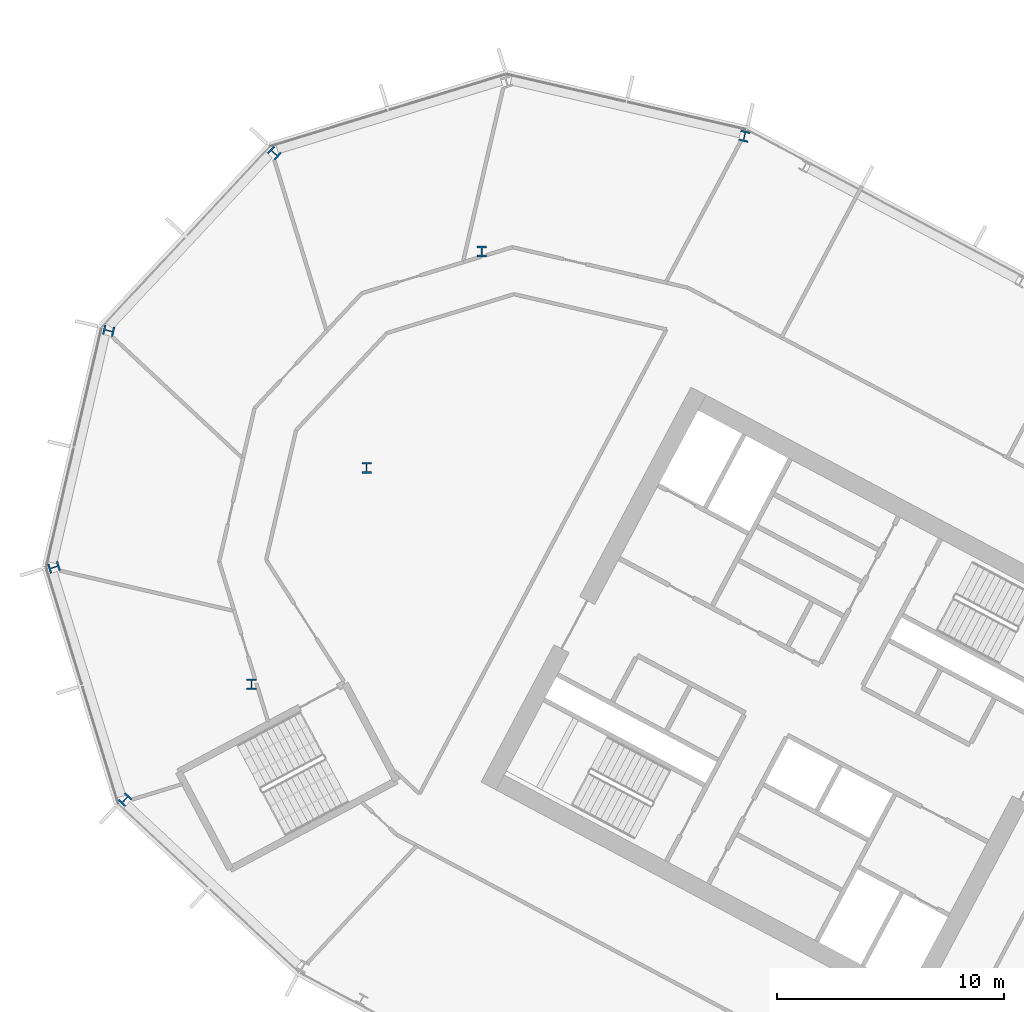
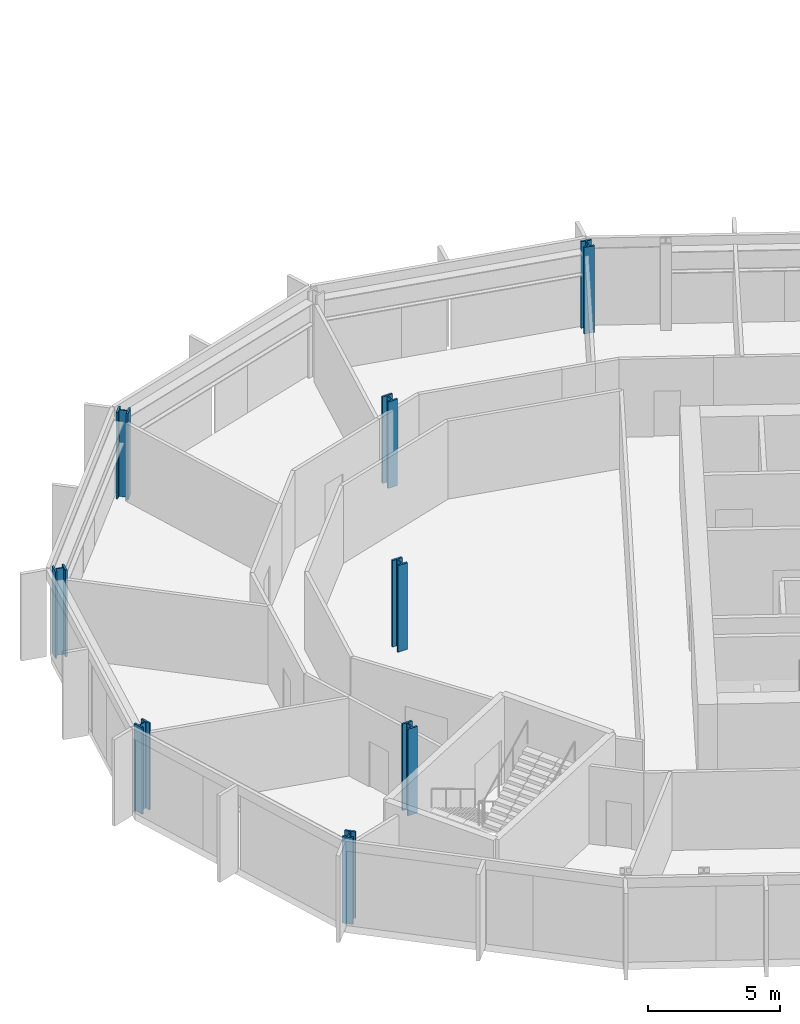
# One storey, part 3 of 28: 8 columns.
"""IFC4 building model written with IfcOpenShell, lengths in metres."""

from ifc_helpers import new_model, si_unit, direction, frame, origin, origin_2d, place, context, subcontext, project, spatial, i_section, extrude, material, material_profile, profile_set, type_object, element, save


model = new_model("IFC4")

# Units and contexts
model_context = context("Model", 3, precision=1e-05, world=origin(), true_north=direction((0.0, 1.0)))
body_context = subcontext(model_context, "Body", "Model", "MODEL_VIEW")
ifc_project = project(units=[si_unit("LENGTHUNIT", "METRE"), si_unit("AREAUNIT", "SQUARE_METRE"), si_unit("VOLUMEUNIT", "CUBIC_METRE"), si_unit("PLANEANGLEUNIT", "RADIAN"), si_unit("MASSUNIT", "GRAM", prefix="KILO")], contexts=[model_context])

# Site, building, storey
site_placement = place(None, origin())
site = spatial("IfcSite", under=ifc_project, at=site_placement, CompositionType="ELEMENT")
building_placement = place(site_placement, origin())
building = spatial("IfcBuilding", under=site, at=building_placement, Name="Cormorant Relay Tower", CompositionType="ELEMENT")
storey_placement = place(building_placement, frame((0.0, 0.0, 174.199951171875)))
storey = spatial("IfcBuildingStorey", under=building, at=storey_placement, Name="L37", CompositionType="ELEMENT", Elevation=174.199951171875)

# Columns
ifc_material = material(Name="Steel ASTM A992 (Fy 345 MPa)", Category="steel")
ifc_material_profile = material_profile(ifc_material, i_section(OverallWidth=0.42431640625, OverallDepth=0.47509765625, WebThickness=0.0478515625, FlangeThickness=0.0771484375, FilletRadius=0.014892578125, at=origin_2d()), Name="W360x634")
ifc_profile_set = profile_set([ifc_material_profile], Name="Steel ASTM A992 (Fy 345 MPa)")
column_type = type_object("IfcColumnType", Name="Column W360x634", PredefinedType="COLUMN", material=ifc_profile_set)
for number, where, z_axis, x_axis, name in (
    (1, (-57.261962890625, 10.173095703125, 0.0), (0.0, 0.0, 1.0), (0.731353701619, -0.681998360062, 0.0), "Column L37-022"),
    (2, (-51.68994140625, 15.251953125, 0.0), (0.0, 0.0, 1.0), (1.0, 0.0, 0.0), "Column L37-028"),
    (3, (-60.389892578125, 20.405029296875, 0.0), (0.0, 0.0, 1.0), (0.292371704723, -0.956304755963, 0.0), "Column L37-030"),
    (4, (-46.6201171875, 24.7880859375, 0.0), (0.0, 0.0, 1.0), (1.0, 0.0, 0.0), "Column L37-033"),
    (5, (-57.98291015625, 30.830078125, 0.0), (0.0, 0.0, 1.0), (-0.224951054344, -0.974370064785, 0.0), "Column L37-037"),
    (6, (-41.549072265625, 34.323974609375, 0.0), (0.0, 0.0, 1.0), (1.0, 0.0, 0.0), "Column L37-041"),
    (7, (-50.68603515625, 38.655029296875, 0.0), (0.0, 0.0, 1.0), (-0.681998360062, -0.731353701619, 0.0), "Column L37-045"),
    (8, (-29.97509765625, 39.39599609375, 0.0), (0.0, 0.0, 1.0), (-0.974370064785, 0.224951054344, 0.0), "Column L37-046"),
):
    element("IfcColumn", number, at=place(storey_placement, frame(where, z_axis=z_axis, x_axis=x_axis)), inside=storey, type_object=column_type, Name=name, PredefinedType="COLUMN", context=body_context, shape_type="SweptSolid", body=[
        extrude(i_section(OverallWidth=0.42431640625, OverallDepth=0.47509765625, WebThickness=0.0478515625, FlangeThickness=0.0771484375, FilletRadius=0.014892578125, at=origin_2d()), origin(), (0.0, 0.0, 1.0), 4.0),
    ])

save(model, "model.ifc")
